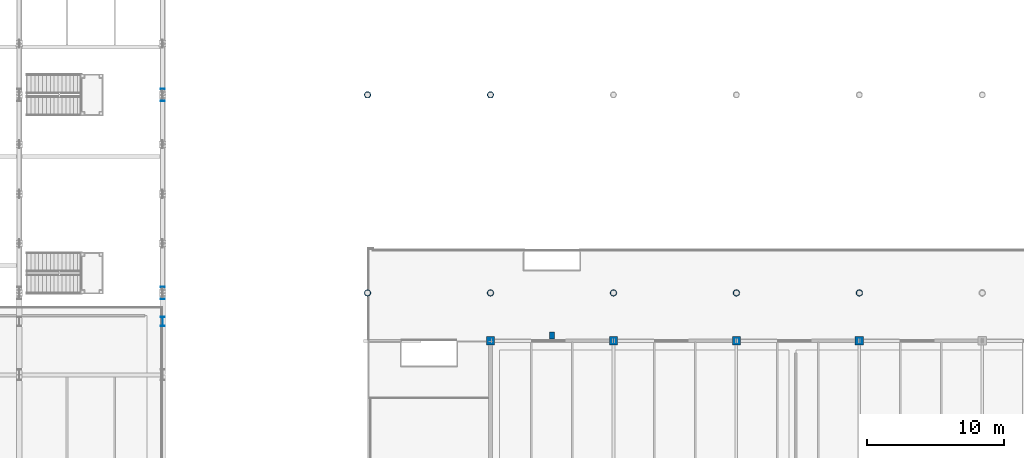
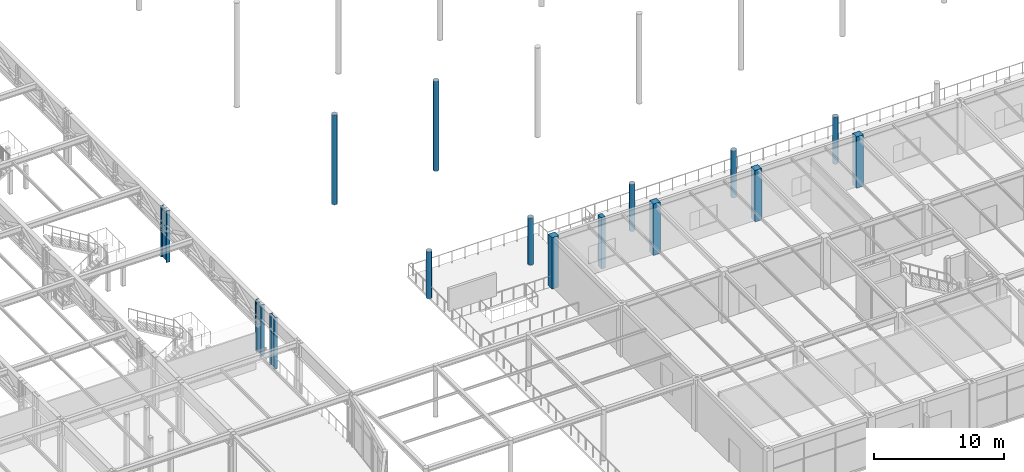
# One storey, part 17 of 143: 15 columns.
"""IFC4 building model written with IfcOpenShell, lengths in metres."""

from ifc_helpers import new_model, si_unit, direction, frame, origin, origin_2d, place, context, subcontext, project, spatial, rectangle, hollow_circle, i_section, extrude, material, material_profile, profile_set, type_object, element, save


model = new_model("IFC4")

# Units and contexts
model_context = context("Model", 3, precision=1e-05, world=origin(), true_north=direction((0.0, 1.0)))
body_context = subcontext(model_context, "Body", "Model", "MODEL_VIEW")
ifc_project = project(units=[si_unit("LENGTHUNIT", "METRE"), si_unit("AREAUNIT", "SQUARE_METRE"), si_unit("VOLUMEUNIT", "CUBIC_METRE"), si_unit("PLANEANGLEUNIT", "RADIAN"), si_unit("MASSUNIT", "GRAM", prefix="KILO")], contexts=[model_context])

# Site, building, storey
site_placement = place(None, origin())
site = spatial("IfcSite", under=ifc_project, at=site_placement, CompositionType="ELEMENT")
building_placement = place(site_placement, origin())
building = spatial("IfcBuilding", under=site, at=building_placement, Name="Marlcrest Central Station", CompositionType="ELEMENT")
storey_placement = place(building_placement, frame((0.0, 0.0, 4.800048828125)))
storey = spatial("IfcBuildingStorey", under=building, at=storey_placement, Name="L01", CompositionType="ELEMENT", Elevation=4.800048828125)

# Columns
ifc_material_1 = material(Name="Precast concrete C40/50", Category="concrete")
ifc_material_profile_1 = material_profile(ifc_material_1, rectangle(XDim=0.35009765625, YDim=0.5, at=origin_2d()), Name="PIL 350x500")
ifc_profile_set_1 = profile_set([ifc_material_profile_1], Name="Precast concrete C40/50")
column_type_1 = type_object("IfcColumnType", Name="PL-01", PredefinedType="PILASTER", material=ifc_profile_set_1)
column_1_placement = place(storey_placement, frame((157.5, 33.3798828125, 0.0), z_axis=(0.0, 0.0, 1.0), x_axis=(1.0, 0.0, 0.0)))
element("IfcColumn", 1, at=column_1_placement, inside=storey, type_object=column_type_1, Name="col-PL-01-L01-0328", PredefinedType="PILASTER", context=body_context, shape_type="SweptSolid", body=[
    extrude(rectangle(XDim=0.35009765625, YDim=0.5, at=origin_2d()), origin(), (0.0, 0.0, 1.0), 4.81494140625),
])
ifc_material_2 = material(Name="Concrete C50/60", Category="concrete")
ifc_material_profile_2 = material_profile(ifc_material_2, rectangle(XDim=0.60009765625, YDim=0.60009765625, at=origin_2d()), Name="RC 600x600")
ifc_profile_set_2 = profile_set([ifc_material_profile_2], Name="Concrete C50/60")
column_type_2 = type_object("IfcColumnType", Name="RC-04", PredefinedType="COLUMN", material=ifc_profile_set_2)
for number, where, z_axis, x_axis, name in (
    (2, (153.0, 33.0, 0.0), (0.0, 0.0, 1.0), (1.0, 0.0, 0.0), "col-RC-04-L01-0299"),
    (3, (162.0, 33.0, 0.0), (0.0, 0.0, 1.0), (1.0, 0.0, 0.0), "col-RC-04-L01-0303"),
    (4, (171.0, 33.0, 0.0), (0.0, 0.0, 1.0), (1.0, 0.0, 0.0), "col-RC-04-L01-0307"),
    (5, (180.0, 33.0, 0.0), (0.0, 0.0, 1.0), (1.0, 0.0, 0.0), "col-RC-04-L01-0311"),
):
    element("IfcColumn", number, at=place(storey_placement, frame(where, z_axis=z_axis, x_axis=x_axis)), inside=storey, type_object=column_type_2, Name=name, PredefinedType="COLUMN", context=body_context, shape_type="SweptSolid", body=[
        extrude(rectangle(XDim=0.60009765625, YDim=0.60009765625, at=origin_2d()), origin(), (0.0, 0.0, 1.0), 4.81494140625),
    ])
ifc_material_3 = material(Name="Steel S355", Category="steel")
ifc_material_profile_3 = material_profile(ifc_material_3, i_section(OverallWidth=0.300048828125, OverallDepth=0.699951171875, WebThickness=0.01708984375, FlangeThickness=0.031982421875, FilletRadius=0.027099609375, at=origin_2d()), Name="HEB 700")
ifc_profile_set_3 = profile_set([ifc_material_profile_3], Name="Steel S355")
column_type_3 = type_object("IfcColumnType", Name="SC-07", PredefinedType="COLUMN", material=ifc_profile_set_3)
column_2_placement = place(storey_placement, frame((129.0, 34.39990234375, 0.0), z_axis=(0.0, 0.0, 1.0), x_axis=(1.0, 0.0, 0.0)))
element("IfcColumn", 6, at=column_2_placement, inside=storey, type_object=column_type_3, Name="col-SC-07-L01-0841", PredefinedType="COLUMN", context=body_context, shape_type="SweptSolid", body=[
    extrude(i_section(OverallWidth=0.300048828125, OverallDepth=0.699951171875, WebThickness=0.01708984375, FlangeThickness=0.031982421875, FilletRadius=0.027099609375, at=origin_2d()), origin(), (0.0, 0.0, 1.0), 4.81494140625),
])
ifc_material_profile_4 = material_profile(ifc_material_3, i_section(OverallWidth=0.300048828125, OverallDepth=0.89990234375, WebThickness=0.0185546875, FlangeThickness=0.034912109375, FilletRadius=0.030029296875, at=origin_2d()), Name="HEB 900")
ifc_profile_set_4 = profile_set([ifc_material_profile_4], Name="Steel S355")
column_type_4 = type_object("IfcColumnType", Name="SC-09", PredefinedType="COLUMN", material=ifc_profile_set_4)
for number, where, z_axis, x_axis, name in (
    (7, (129.0, 36.5, 0.0), (0.0, 0.0, 1.0), (1.0, 0.0, 0.0), "col-SC-09-L01-0658"),
    (8, (129.0, 51.0, 0.0), (0.0, 0.0, 1.0), (1.0, 0.0, 0.0), "col-SC-09-L01-0660"),
):
    element("IfcColumn", number, at=place(storey_placement, frame(where, z_axis=z_axis, x_axis=x_axis)), inside=storey, type_object=column_type_4, Name=name, PredefinedType="COLUMN", context=body_context, shape_type="SweptSolid", body=[
        extrude(i_section(OverallWidth=0.300048828125, OverallDepth=0.89990234375, WebThickness=0.0185546875, FlangeThickness=0.034912109375, FilletRadius=0.030029296875, at=origin_2d()), origin(), (0.0, 0.0, 1.0), 4.81494140625),
    ])
ifc_material_profile_5 = material_profile(ifc_material_3, hollow_circle(Radius=0.228515625, WallThickness=0.02001953125, at=origin_2d()), Name="CHS 457x20")
ifc_profile_set_5 = profile_set([ifc_material_profile_5], Name="Steel S355")
column_type_5 = type_object("IfcColumnType", Name="SC-11", PredefinedType="COLUMN", material=ifc_profile_set_5)
column_3_placement = place(storey_placement, frame((144.0, 36.5, 0.0), z_axis=(0.0, 0.0, 1.0), x_axis=(1.0, 0.0, 0.0)))
element("IfcColumn", 9, at=column_3_placement, inside=storey, type_object=column_type_5, Name="col-SC-11-L01-0513", PredefinedType="COLUMN", context=body_context, shape_type="SweptSolid", body=[
    extrude(hollow_circle(Radius=0.228515625, WallThickness=0.02001953125, at=origin_2d()), origin(), (0.0, 0.0, 1.0), 4.39990234375),
])
column_4_placement = place(storey_placement, frame((144.0, 51.0, 0.0), z_axis=(0.0, 0.0, 1.0), x_axis=(1.0, 0.0, 0.0)))
element("IfcColumn", 10, at=column_4_placement, inside=storey, type_object=column_type_5, Name="col-SC-11-L01-0515", PredefinedType="COLUMN", context=body_context, shape_type="SweptSolid", body=[
    extrude(hollow_circle(Radius=0.228515625, WallThickness=0.02001953125, at=origin_2d()), origin(), (0.0, 0.0, 1.0), 8.40380859375),
])
column_5_placement = place(storey_placement, frame((153.0, 36.5, 0.0), z_axis=(0.0, 0.0, 1.0), x_axis=(1.0, 0.0, 0.0)))
element("IfcColumn", 11, at=column_5_placement, inside=storey, type_object=column_type_5, Name="col-SC-11-L01-0524", PredefinedType="COLUMN", context=body_context, shape_type="SweptSolid", body=[
    extrude(hollow_circle(Radius=0.228515625, WallThickness=0.02001953125, at=origin_2d()), origin(), (0.0, 0.0, 1.0), 4.39990234375),
])
column_6_placement = place(storey_placement, frame((153.0, 51.0, 0.0), z_axis=(0.0, 0.0, 1.0), x_axis=(1.0, 0.0, 0.0)))
element("IfcColumn", 12, at=column_6_placement, inside=storey, type_object=column_type_5, Name="col-SC-11-L01-0526", PredefinedType="COLUMN", context=body_context, shape_type="SweptSolid", body=[
    extrude(hollow_circle(Radius=0.228515625, WallThickness=0.02001953125, at=origin_2d()), origin(), (0.0, 0.0, 1.0), 8.40380859375),
])
for number, where, z_axis, x_axis, name in (
    (13, (162.0, 36.5, 0.0), (0.0, 0.0, 1.0), (1.0, 0.0, 0.0), "col-SC-11-L01-0535"),
    (14, (171.0, 36.5, 0.0), (0.0, 0.0, 1.0), (1.0, 0.0, 0.0), "col-SC-11-L01-0546"),
    (15, (180.0, 36.5, 0.0), (0.0, 0.0, 1.0), (1.0, 0.0, 0.0), "col-SC-11-L01-0557"),
):
    element("IfcColumn", number, at=place(storey_placement, frame(where, z_axis=z_axis, x_axis=x_axis)), inside=storey, type_object=column_type_5, Name=name, PredefinedType="COLUMN", context=body_context, shape_type="SweptSolid", body=[
        extrude(hollow_circle(Radius=0.228515625, WallThickness=0.02001953125, at=origin_2d()), origin(), (0.0, 0.0, 1.0), 4.39990234375),
    ])

save(model, "model.ifc")
